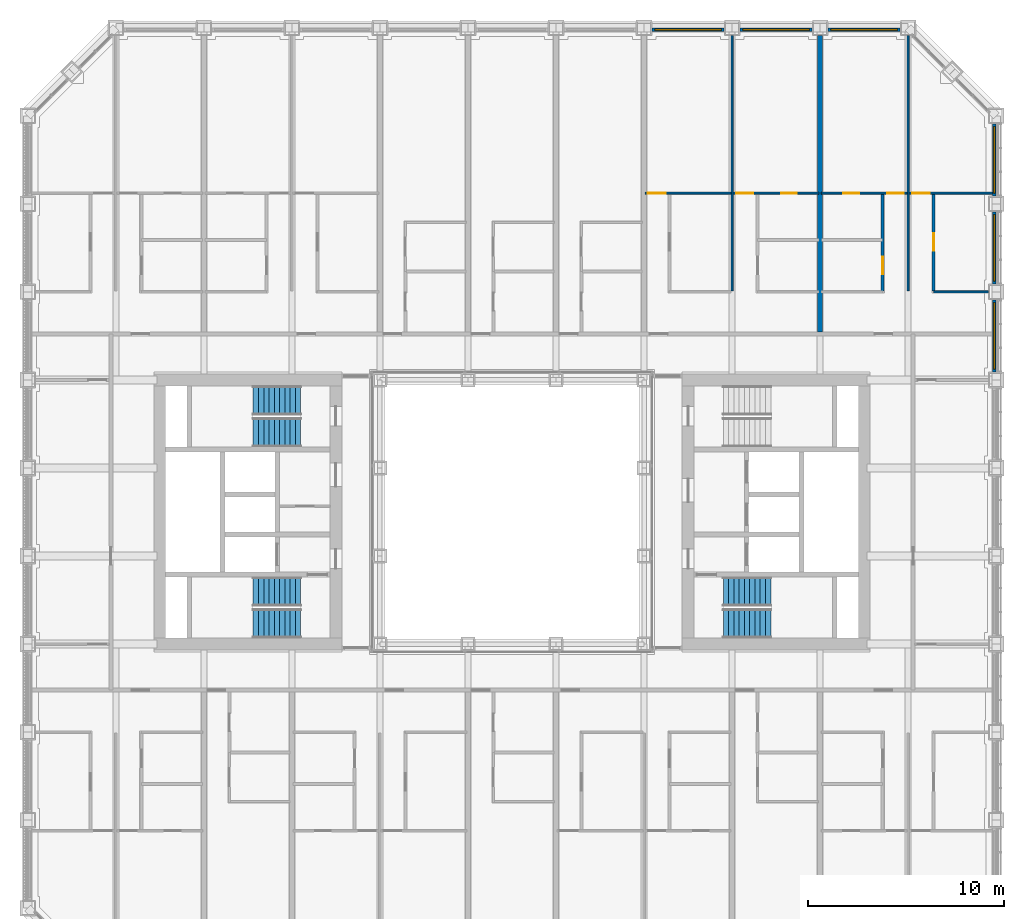
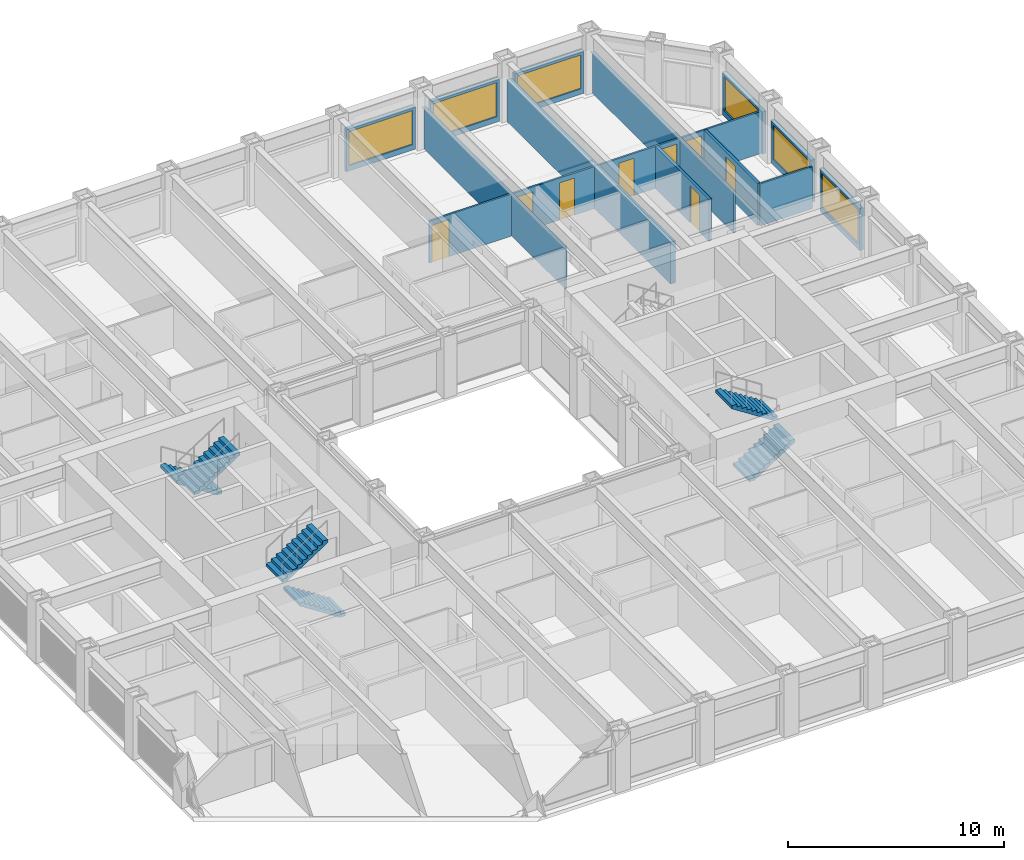
# One storey, part 15 of 21: 16 walls, 8 doors, 6 stair flights, 6 windows, 14 openings, 3 elements without a shape of their own.
"""IFC4 building model written with IfcOpenShell, lengths in metres."""

from ifc_helpers import new_model, si_unit, direction, frame, frame_2d, origin, place, context, subcontext, project, spatial, polyline, rectangle, outline, extrude, material, layer, layer_set, type_object, element, fill, aggregate, save


model = new_model("IFC4")

# Units and contexts
model_context = context("Model", 3, precision=1e-05, world=origin(), true_north=direction((0.0, 1.0)))
body_context = subcontext(model_context, "Body", "Model", "MODEL_VIEW")
ifc_project = project(units=[si_unit("LENGTHUNIT", "METRE"), si_unit("AREAUNIT", "SQUARE_METRE"), si_unit("VOLUMEUNIT", "CUBIC_METRE"), si_unit("PLANEANGLEUNIT", "RADIAN"), si_unit("MASSUNIT", "GRAM", prefix="KILO")], contexts=[model_context])

# Site, building, storey
site_placement = place(None, origin())
site = spatial("IfcSite", under=ifc_project, at=site_placement, CompositionType="ELEMENT")
building_placement = place(site_placement, origin())
building = spatial("IfcBuilding", under=site, at=building_placement, Name="Msasa Ring Tower", CompositionType="ELEMENT")
storey_placement = place(building_placement, frame((0.0, 0.0, 40.5)))
storey = spatial("IfcBuildingStorey", under=building, at=storey_placement, Name="L09", CompositionType="ELEMENT", Elevation=40.5)

# Wall, opening, window
ifc_material_1 = material(Name="Terracotta rainscreen on blockwork", Category="masonry")
ifc_layer_1 = layer(ifc_material_1, 0.199951171875)
ifc_layer_set_1 = layer_set([ifc_layer_1], Name="FW1 TERRACOTTA-LINED INFILL BAY WALL 200")
wall_type_1 = type_object("IfcWallType", Name="FW1 TERRACOTTA-LINED INFILL BAY WALL 200", PredefinedType="SOLIDWALL", material=ifc_layer_set_1)
wall_1_placement = place(storey_placement, frame((24.64990234375, 7.155029296875, 0.0), z_axis=(0.0, 0.0, 1.0), x_axis=(0.0, 1.0, 0.0)))
wall_1 = element("IfcWall", 1, at=wall_1_placement, inside=storey, type_object=wall_type_1, Name="Infill bay wall E L09 17", PredefinedType="SOLIDWALL", context=body_context, shape_type="SweptSolid", body=[
    extrude(rectangle(XDim=3.68994140625, YDim=0.199951171875, at=frame_2d((1.844970703125, 0.0))), origin(), (0.0, 0.0, 1.0), 2.37890625),
])
opening_1_placement = place(wall_1_placement, frame((0.14501953125, 0.0, 0.300048828125)))
opening_1 = element("IfcOpeningElement", 2, at=opening_1_placement, cuts=wall_1, Name="Opening WN1", PredefinedType="OPENING", context=body_context, shape_type="SweptSolid", body=[
    extrude(rectangle(XDim=3.39990234375, YDim=1.928955078125, at=frame_2d((1.699951171875, 0.96435546875))), frame((0.0, 0.10986328125, 0.0), z_axis=(0.0, -1.0, 0.0), x_axis=(1.0, 0.0, 0.0)), (0.0, 0.0, 1.0), 0.219970703125),
])
ifc_material_2 = material(Name="Aluminium frame with clear glass", Category="aluminium")
window_type = type_object("IfcWindowType", Name="WN1 RESIDENCE WINDOW 3400x1929", PartitioningType="SINGLE_PANEL", PredefinedType="WINDOW", material=ifc_material_2)
window_1_placement = place(opening_1_placement, origin())
window_1 = element("IfcWindow", 3, at=window_1_placement, inside=storey, type_object=window_type, Name="Window E L09 17", OverallHeight=1.928955078125, OverallWidth=3.39990234375, PartitioningType="SINGLE_PANEL", PredefinedType="WINDOW", context=body_context, shape_type="SweptSolid", body=[
    extrude(rectangle(XDim=3.39990234375, YDim=1.928955078125, at=frame_2d((1.699951171875, 0.96435546875))), frame((0.0, 0.030029296875, 0.0), z_axis=(0.0, -1.0, 0.0), x_axis=(1.0, 0.0, 0.0)), (0.0, 0.0, 1.0), 0.06005859375),
])
fill(opening_1, window_1)

wall_2_placement = place(storey_placement, frame((24.64990234375, 11.655029296875, 0.0), z_axis=(0.0, 0.0, 1.0), x_axis=(0.0, 1.0, 0.0)))
wall_2 = element("IfcWall", 4, at=wall_2_placement, inside=storey, type_object=wall_type_1, Name="Infill bay wall E L09 18", PredefinedType="SOLIDWALL", context=body_context, shape_type="SweptSolid", body=[
    extrude(rectangle(XDim=3.68994140625, YDim=0.199951171875, at=frame_2d((1.844970703125, 0.0))), origin(), (0.0, 0.0, 1.0), 2.37890625),
])
opening_2_placement = place(wall_2_placement, frame((0.14501953125, 0.0, 0.300048828125)))
opening_2 = element("IfcOpeningElement", 5, at=opening_2_placement, cuts=wall_2, Name="Opening WN1", PredefinedType="OPENING", context=body_context, shape_type="SweptSolid", body=[
    extrude(rectangle(XDim=3.39990234375, YDim=1.928955078125, at=frame_2d((1.699951171875, 0.96435546875))), frame((0.0, 0.10986328125, 0.0), z_axis=(0.0, -1.0, 0.0), x_axis=(1.0, 0.0, 0.0)), (0.0, 0.0, 1.0), 0.219970703125),
])
window_2_placement = place(opening_2_placement, origin())
window_2 = element("IfcWindow", 6, at=window_2_placement, inside=storey, type_object=window_type, Name="Window E L09 18", OverallHeight=1.928955078125, OverallWidth=3.39990234375, PartitioningType="SINGLE_PANEL", PredefinedType="WINDOW", context=body_context, shape_type="SweptSolid", body=[
    extrude(rectangle(XDim=3.39990234375, YDim=1.928955078125, at=frame_2d((1.699951171875, 0.96435546875))), frame((0.0, 0.030029296875, 0.0), z_axis=(0.0, -1.0, 0.0), x_axis=(1.0, 0.0, 0.0)), (0.0, 0.0, 1.0), 0.06005859375),
])
fill(opening_2, window_2)

wall_3_placement = place(storey_placement, frame((24.64990234375, 16.155029296875, 0.0), z_axis=(0.0, 0.0, 1.0), x_axis=(0.0, 1.0, 0.0)))
wall_3 = element("IfcWall", 7, at=wall_3_placement, inside=storey, type_object=wall_type_1, Name="Infill bay wall E L09 19", PredefinedType="SOLIDWALL", context=body_context, shape_type="SweptSolid", body=[
    extrude(rectangle(XDim=3.68994140625, YDim=0.199951171875, at=frame_2d((1.844970703125, 0.0))), origin(), (0.0, 0.0, 1.0), 2.37890625),
])
opening_3_placement = place(wall_3_placement, frame((0.14501953125, 0.0, 0.300048828125)))
opening_3 = element("IfcOpeningElement", 8, at=opening_3_placement, cuts=wall_3, Name="Opening WN1", PredefinedType="OPENING", context=body_context, shape_type="SweptSolid", body=[
    extrude(rectangle(XDim=3.39990234375, YDim=1.928955078125, at=frame_2d((1.699951171875, 0.96435546875))), frame((0.0, 0.10986328125, 0.0), z_axis=(0.0, -1.0, 0.0), x_axis=(1.0, 0.0, 0.0)), (0.0, 0.0, 1.0), 0.219970703125),
])
window_3_placement = place(opening_3_placement, origin())
window_3 = element("IfcWindow", 9, at=window_3_placement, inside=storey, type_object=window_type, Name="Window E L09 19", OverallHeight=1.928955078125, OverallWidth=3.39990234375, PartitioningType="SINGLE_PANEL", PredefinedType="WINDOW", context=body_context, shape_type="SweptSolid", body=[
    extrude(rectangle(XDim=3.39990234375, YDim=1.928955078125, at=frame_2d((1.699951171875, 0.96435546875))), frame((0.0, 0.030029296875, 0.0), z_axis=(0.0, -1.0, 0.0), x_axis=(1.0, 0.0, 0.0)), (0.0, 0.0, 1.0), 0.06005859375),
])
fill(opening_3, window_3)

wall_4_placement = place(storey_placement, frame((7.155029296875, 24.64990234375, 0.0), z_axis=(0.0, 0.0, 1.0), x_axis=(1.0, 0.0, 0.0)))
wall_4 = element("IfcWall", 10, at=wall_4_placement, inside=storey, type_object=wall_type_1, Name="Infill bay wall N L09 28", PredefinedType="SOLIDWALL", context=body_context, shape_type="SweptSolid", body=[
    extrude(rectangle(XDim=3.68994140625, YDim=0.199951171875, at=frame_2d((1.844970703125, 0.0))), origin(), (0.0, 0.0, 1.0), 2.37890625),
])
opening_4_placement = place(wall_4_placement, frame((0.14501953125, 0.0, 0.300048828125)))
opening_4 = element("IfcOpeningElement", 11, at=opening_4_placement, cuts=wall_4, Name="Opening WN1", PredefinedType="OPENING", context=body_context, shape_type="SweptSolid", body=[
    extrude(rectangle(XDim=3.39990234375, YDim=1.928955078125, at=frame_2d((1.699951171875, 0.96435546875))), frame((0.0, 0.10986328125, 0.0), z_axis=(0.0, -1.0, 0.0), x_axis=(1.0, 0.0, 0.0)), (0.0, 0.0, 1.0), 0.219970703125),
])
window_4_placement = place(opening_4_placement, origin())
window_4 = element("IfcWindow", 12, at=window_4_placement, inside=storey, type_object=window_type, Name="Window N L09 28", OverallHeight=1.928955078125, OverallWidth=3.39990234375, PartitioningType="SINGLE_PANEL", PredefinedType="WINDOW", context=body_context, shape_type="SweptSolid", body=[
    extrude(rectangle(XDim=3.39990234375, YDim=1.928955078125, at=frame_2d((1.699951171875, 0.96435546875))), frame((0.0, 0.030029296875, 0.0), z_axis=(0.0, -1.0, 0.0), x_axis=(1.0, 0.0, 0.0)), (0.0, 0.0, 1.0), 0.06005859375),
])
fill(opening_4, window_4)

wall_5_placement = place(storey_placement, frame((11.655029296875, 24.64990234375, 0.0), z_axis=(0.0, 0.0, 1.0), x_axis=(1.0, 0.0, 0.0)))
wall_5 = element("IfcWall", 13, at=wall_5_placement, inside=storey, type_object=wall_type_1, Name="Infill bay wall N L09 29", PredefinedType="SOLIDWALL", context=body_context, shape_type="SweptSolid", body=[
    extrude(rectangle(XDim=3.68994140625, YDim=0.199951171875, at=frame_2d((1.844970703125, 0.0))), origin(), (0.0, 0.0, 1.0), 2.37890625),
])
opening_5_placement = place(wall_5_placement, frame((0.14501953125, 0.0, 0.300048828125)))
opening_5 = element("IfcOpeningElement", 14, at=opening_5_placement, cuts=wall_5, Name="Opening WN1", PredefinedType="OPENING", context=body_context, shape_type="SweptSolid", body=[
    extrude(rectangle(XDim=3.39990234375, YDim=1.928955078125, at=frame_2d((1.699951171875, 0.96435546875))), frame((0.0, 0.10986328125, 0.0), z_axis=(0.0, -1.0, 0.0), x_axis=(1.0, 0.0, 0.0)), (0.0, 0.0, 1.0), 0.219970703125),
])
window_5_placement = place(opening_5_placement, origin())
window_5 = element("IfcWindow", 15, at=window_5_placement, inside=storey, type_object=window_type, Name="Window N L09 29", OverallHeight=1.928955078125, OverallWidth=3.39990234375, PartitioningType="SINGLE_PANEL", PredefinedType="WINDOW", context=body_context, shape_type="SweptSolid", body=[
    extrude(rectangle(XDim=3.39990234375, YDim=1.928955078125, at=frame_2d((1.699951171875, 0.96435546875))), frame((0.0, 0.030029296875, 0.0), z_axis=(0.0, -1.0, 0.0), x_axis=(1.0, 0.0, 0.0)), (0.0, 0.0, 1.0), 0.06005859375),
])
fill(opening_5, window_5)

wall_6_placement = place(storey_placement, frame((16.155029296875, 24.64990234375, 0.0), z_axis=(0.0, 0.0, 1.0), x_axis=(1.0, 0.0, 0.0)))
wall_6 = element("IfcWall", 16, at=wall_6_placement, inside=storey, type_object=wall_type_1, Name="Infill bay wall N L09 30", PredefinedType="SOLIDWALL", context=body_context, shape_type="SweptSolid", body=[
    extrude(rectangle(XDim=3.68994140625, YDim=0.199951171875, at=frame_2d((1.844970703125, 0.0))), origin(), (0.0, 0.0, 1.0), 2.37890625),
])
opening_6_placement = place(wall_6_placement, frame((0.14501953125, 0.0, 0.300048828125)))
opening_6 = element("IfcOpeningElement", 17, at=opening_6_placement, cuts=wall_6, Name="Opening WN1", PredefinedType="OPENING", context=body_context, shape_type="SweptSolid", body=[
    extrude(rectangle(XDim=3.39990234375, YDim=1.928955078125, at=frame_2d((1.699951171875, 0.96435546875))), frame((0.0, 0.10986328125, 0.0), z_axis=(0.0, -1.0, 0.0), x_axis=(1.0, 0.0, 0.0)), (0.0, 0.0, 1.0), 0.219970703125),
])
window_6_placement = place(opening_6_placement, origin())
window_6 = element("IfcWindow", 18, at=window_6_placement, inside=storey, type_object=window_type, Name="Window N L09 30", OverallHeight=1.928955078125, OverallWidth=3.39990234375, PartitioningType="SINGLE_PANEL", PredefinedType="WINDOW", context=body_context, shape_type="SweptSolid", body=[
    extrude(rectangle(XDim=3.39990234375, YDim=1.928955078125, at=frame_2d((1.699951171875, 0.96435546875))), frame((0.0, 0.030029296875, 0.0), z_axis=(0.0, -1.0, 0.0), x_axis=(1.0, 0.0, 0.0)), (0.0, 0.0, 1.0), 0.06005859375),
])
fill(opening_6, window_6)

# Wall, opening, door
ifc_material_3 = material(Name="Gypsum board on steel studs", Category="steel")
ifc_layer_2 = layer(ifc_material_3, 0.10009765625)
ifc_layer_set_2 = layer_set([ifc_layer_2], Name="PT2 STUD PARTITION 100")
wall_type_2 = type_object("IfcWallType", Name="PT2 STUD PARTITION 100", PredefinedType="PARTITIONING", material=ifc_layer_set_2)
wall_7_placement = place(storey_placement, frame((6.81005859375, 16.300048828125, 0.0), z_axis=(0.0, 0.0, 1.0), x_axis=(1.0, 0.0, 0.0)))
wall_7 = element("IfcWall", 19, at=wall_7_placement, inside=storey, type_object=wall_type_2, Name="Partition L09-UN05SY0", PredefinedType="PARTITIONING", context=body_context, shape_type="SweptSolid", body=[
    extrude(rectangle(XDim=4.389892578125, YDim=0.10009765625, at=frame_2d((2.19482421875, 0.0))), origin(), (0.0, 0.0, 1.0), 2.373291015625),
])
opening_7_placement = place(wall_7_placement, frame((0.139892578125, 0.0, 0.0)))
opening_7 = element("IfcOpeningElement", 20, at=opening_7_placement, cuts=wall_7, Name="Opening RB-007", PredefinedType="OPENING", context=body_context, shape_type="SweptSolid", body=[
    extrude(rectangle(XDim=0.89990234375, YDim=2.10009765625, at=frame_2d((0.449951171875, 1.050048828125))), frame((0.0, 0.06005859375, 0.0), z_axis=(0.0, -1.0, 0.0), x_axis=(1.0, 0.0, 0.0)), (0.0, 0.0, 1.0), 0.1201171875),
])
ifc_material_4 = material(Name="Timber door leaf in a steel frame", Category="steel")
door_type_1 = type_object("IfcDoorType", Name="D22 INTERNAL HALL DOOR 900x2100", OperationType="SINGLE_SWING_LEFT", PredefinedType="DOOR", material=ifc_material_4)
door_1_placement = place(opening_7_placement, origin())
door_1 = element("IfcDoor", 21, at=door_1_placement, inside=storey, type_object=door_type_1, Name="Door L09-UN05L", OperationType="SINGLE_SWING_LEFT", OverallHeight=2.10009765625, OverallWidth=0.89990234375, PredefinedType="DOOR", context=body_context, shape_type="SweptSolid", body=[
    extrude(rectangle(XDim=0.89990234375, YDim=2.10009765625, at=frame_2d((0.449951171875, 1.050048828125))), frame((0.0, 0.02490234375, 0.0), z_axis=(0.0, -1.0, 0.0), x_axis=(1.0, 0.0, 0.0)), (0.0, 0.0, 1.0), 0.050048828125),
])
fill(opening_7, door_1)

# Wall
wall_8_placement = place(storey_placement, frame((11.25, 11.300048828125, 0.0), z_axis=(0.0, 0.0, 1.0), x_axis=(0.0, 1.0, 0.0)))
element("IfcWall", 22, at=wall_8_placement, inside=storey, type_object=wall_type_2, Name="Partition L09-UN05P1", PredefinedType="PARTITIONING", context=body_context, shape_type="SweptSolid", body=[
    extrude(rectangle(XDim=13.050048828125, YDim=0.10009765625, at=frame_2d((6.52490234375, 0.0))), origin(), (0.0, 0.0, 1.0), 2.373291015625),
])

# Wall, openings, doors
wall_9_placement = place(storey_placement, frame((11.300048828125, 16.300048828125, 0.0), z_axis=(0.0, 0.0, 1.0), x_axis=(1.0, 0.0, 0.0)))
wall_9 = element("IfcWall", 23, at=wall_9_placement, inside=storey, type_object=wall_type_2, Name="Partition L09-UN05SY1", PredefinedType="PARTITIONING", context=body_context, shape_type="SweptSolid", body=[
    extrude(rectangle(XDim=4.389892578125, YDim=0.10009765625, at=frame_2d((2.19482421875, 0.0))), origin(), (0.0, 0.0, 1.0), 2.373291015625),
])
opening_8_placement = place(wall_9_placement, frame((0.175048828125, 0.0, 0.0)))
opening_8 = element("IfcOpeningElement", 24, at=opening_8_placement, cuts=wall_9, Name="Opening RB-008", PredefinedType="OPENING", context=body_context, shape_type="SweptSolid", body=[
    extrude(rectangle(XDim=0.85009765625, YDim=2.10009765625, at=frame_2d((0.425048828125, 1.050048828125))), frame((0.0, 0.06005859375, 0.0), z_axis=(0.0, -1.0, 0.0), x_axis=(1.0, 0.0, 0.0)), (0.0, 0.0, 1.0), 0.1201171875),
])
opening_9_placement = place(wall_9_placement, frame((2.4599609375, 0.0, 0.0)))
opening_9 = element("IfcOpeningElement", 25, at=opening_9_placement, cuts=wall_9, Name="Opening RB-009", PredefinedType="OPENING", context=body_context, shape_type="SweptSolid", body=[
    extrude(rectangle(XDim=0.800048828125, YDim=2.10009765625, at=frame_2d((0.39990234375, 1.050048828125))), frame((0.0, 0.06005859375, 0.0), z_axis=(0.0, -1.0, 0.0), x_axis=(1.0, 0.0, 0.0)), (0.0, 0.0, 1.0), 0.1201171875),
])
ifc_material_5 = material(Name="Timber door leaf in a steel frame", Category="steel")
door_type_2 = type_object("IfcDoorType", Name="D14 BEDROOM DOOR 850x2100", OperationType="SINGLE_SWING_LEFT", PredefinedType="DOOR", material=ifc_material_5)
door_2_placement = place(opening_8_placement, origin())
door_2 = element("IfcDoor", 26, at=door_2_placement, inside=storey, type_object=door_type_2, Name="Door L09-UN05R1", OperationType="SINGLE_SWING_LEFT", OverallHeight=2.10009765625, OverallWidth=0.85009765625, PredefinedType="DOOR", context=body_context, shape_type="SweptSolid", body=[
    extrude(rectangle(XDim=0.85009765625, YDim=2.10009765625, at=frame_2d((0.425048828125, 1.050048828125))), frame((0.0, 0.02490234375, 0.0), z_axis=(0.0, -1.0, 0.0), x_axis=(1.0, 0.0, 0.0)), (0.0, 0.0, 1.0), 0.050048828125),
])
fill(opening_8, door_2)
ifc_material_6 = material(Name="Timber door leaf in a steel frame", Category="steel")
door_type_3 = type_object("IfcDoorType", Name="D60 DRESSING ROOM DOOR 800x2100", OperationType="SINGLE_SWING_LEFT", PredefinedType="DOOR", material=ifc_material_6)
door_3_placement = place(opening_9_placement, origin())
door_3 = element("IfcDoor", 27, at=door_3_placement, inside=storey, type_object=door_type_3, Name="Door L09-UN05W1", OperationType="SINGLE_SWING_RIGHT", OverallHeight=2.10009765625, OverallWidth=0.800048828125, PredefinedType="DOOR", context=body_context, shape_type="SweptSolid", body=[
    extrude(rectangle(XDim=0.800048828125, YDim=2.10009765625, at=frame_2d((0.39990234375, 1.050048828125))), frame((0.0, 0.02490234375, 0.0), z_axis=(0.0, -1.0, 0.0), x_axis=(1.0, 0.0, 0.0)), (0.0, 0.0, 1.0), 0.050048828125),
])
fill(opening_9, door_3)

# Wall
wall_10_placement = place(storey_placement, frame((21.550048828125, 11.25, 0.0), z_axis=(0.0, 0.0, 1.0), x_axis=(1.0, 0.0, 0.0)))
element("IfcWall", 28, at=wall_10_placement, inside=storey, type_object=wall_type_2, Name="Partition L09-UN06HY0", PredefinedType="PARTITIONING", context=body_context, shape_type="SweptSolid", body=[
    extrude(rectangle(XDim=2.800048828125, YDim=0.10009765625, at=frame_2d((1.39990234375, 0.0))), origin(), (0.0, 0.0, 1.0), 2.373291015625),
])

# Wall, opening, door
wall_11_placement = place(storey_placement, frame((20.300048828125, 16.300048828125, 0.0), z_axis=(0.0, 0.0, 1.0), x_axis=(1.0, 0.0, 0.0)))
wall_11 = element("IfcWall", 29, at=wall_11_placement, inside=storey, type_object=wall_type_2, Name="Partition L09-UN06SY0", PredefinedType="PARTITIONING", context=body_context, shape_type="SweptSolid", body=[
    extrude(rectangle(XDim=4.25, YDim=0.10009765625, at=frame_2d((2.125, 0.0))), origin(), (0.0, 0.0, 1.0), 2.373291015625),
])
opening_10_placement = place(wall_11_placement, frame((0.14990234375, 0.0, 0.0)))
opening_10 = element("IfcOpeningElement", 30, at=opening_10_placement, cuts=wall_11, Name="Opening RB-012", PredefinedType="OPENING", context=body_context, shape_type="SweptSolid", body=[
    extrude(rectangle(XDim=0.89990234375, YDim=2.10009765625, at=frame_2d((0.449951171875, 1.050048828125))), frame((0.0, 0.06005859375, 0.0), z_axis=(0.0, -1.0, 0.0), x_axis=(1.0, 0.0, 0.0)), (0.0, 0.0, 1.0), 0.1201171875),
])
door_4_placement = place(opening_10_placement, origin())
door_4 = element("IfcDoor", 31, at=door_4_placement, inside=storey, type_object=door_type_1, Name="Door L09-UN06L", OperationType="SINGLE_SWING_LEFT", OverallHeight=2.10009765625, OverallWidth=0.89990234375, PredefinedType="DOOR", context=body_context, shape_type="SweptSolid", body=[
    extrude(rectangle(XDim=0.89990234375, YDim=2.10009765625, at=frame_2d((0.449951171875, 1.050048828125))), frame((0.0, 0.02490234375, 0.0), z_axis=(0.0, -1.0, 0.0), x_axis=(1.0, 0.0, 0.0)), (0.0, 0.0, 1.0), 0.050048828125),
])
fill(opening_10, door_4)

# Wall
wall_12_placement = place(storey_placement, frame((20.25, 11.300048828125, 0.0), z_axis=(0.0, 0.0, 1.0), x_axis=(0.0, 1.0, 0.0)))
element("IfcWall", 32, at=wall_12_placement, inside=storey, type_object=wall_type_2, Name="Partition L09-UN06P1", PredefinedType="PARTITIONING", context=body_context, shape_type="SweptSolid", body=[
    extrude(rectangle(XDim=13.050048828125, YDim=0.10009765625, at=frame_2d((6.52490234375, 0.0))), origin(), (0.0, 0.0, 1.0), 2.373291015625),
])

# Wall, openings, doors
wall_13_placement = place(storey_placement, frame((15.81005859375, 16.300048828125, 0.0), z_axis=(0.0, 0.0, 1.0), x_axis=(1.0, 0.0, 0.0)))
wall_13 = element("IfcWall", 33, at=wall_13_placement, inside=storey, type_object=wall_type_2, Name="Partition L09-UN06SY1", PredefinedType="PARTITIONING", context=body_context, shape_type="SweptSolid", body=[
    extrude(rectangle(XDim=4.389892578125, YDim=0.10009765625, at=frame_2d((2.19482421875, 0.0))), origin(), (0.0, 0.0, 1.0), 2.373291015625),
])
opening_11_placement = place(wall_13_placement, frame((3.364990234375, 0.0, 0.0)))
opening_11 = element("IfcOpeningElement", 34, at=opening_11_placement, cuts=wall_13, Name="Opening RB-011", PredefinedType="OPENING", context=body_context, shape_type="SweptSolid", body=[
    extrude(rectangle(XDim=0.85009765625, YDim=2.10009765625, at=frame_2d((0.425048828125, 1.050048828125))), frame((0.0, 0.06005859375, 0.0), z_axis=(0.0, -1.0, 0.0), x_axis=(1.0, 0.0, 0.0)), (0.0, 0.0, 1.0), 0.1201171875),
])
opening_12_placement = place(wall_13_placement, frame((1.1298828125, 0.0, 0.0)))
opening_12 = element("IfcOpeningElement", 35, at=opening_12_placement, cuts=wall_13, Name="Opening RB-010", PredefinedType="OPENING", context=body_context, shape_type="SweptSolid", body=[
    extrude(rectangle(XDim=0.800048828125, YDim=2.10009765625, at=frame_2d((0.39990234375, 1.050048828125))), frame((0.0, 0.06005859375, 0.0), z_axis=(0.0, -1.0, 0.0), x_axis=(1.0, 0.0, 0.0)), (0.0, 0.0, 1.0), 0.1201171875),
])
door_5_placement = place(opening_11_placement, origin())
door_5 = element("IfcDoor", 36, at=door_5_placement, inside=storey, type_object=door_type_2, Name="Door L09-UN06R1", OperationType="SINGLE_SWING_RIGHT", OverallHeight=2.10009765625, OverallWidth=0.85009765625, PredefinedType="DOOR", context=body_context, shape_type="SweptSolid", body=[
    extrude(rectangle(XDim=0.85009765625, YDim=2.10009765625, at=frame_2d((0.425048828125, 1.050048828125))), frame((0.0, 0.02490234375, 0.0), z_axis=(0.0, -1.0, 0.0), x_axis=(1.0, 0.0, 0.0)), (0.0, 0.0, 1.0), 0.050048828125),
])
fill(opening_11, door_5)
door_6_placement = place(opening_12_placement, origin())
door_6 = element("IfcDoor", 37, at=door_6_placement, inside=storey, type_object=door_type_3, Name="Door L09-UN06W1", OperationType="SINGLE_SWING_LEFT", OverallHeight=2.10009765625, OverallWidth=0.800048828125, PredefinedType="DOOR", context=body_context, shape_type="SweptSolid", body=[
    extrude(rectangle(XDim=0.800048828125, YDim=2.10009765625, at=frame_2d((0.39990234375, 1.050048828125))), frame((0.0, 0.02490234375, 0.0), z_axis=(0.0, -1.0, 0.0), x_axis=(1.0, 0.0, 0.0)), (0.0, 0.0, 1.0), 0.050048828125),
])
fill(opening_12, door_6)

# Wall
ifc_material_7 = material(Name="Dense concrete blockwork, plastered both faces", Category="masonry")
ifc_layer_3 = layer(ifc_material_7, 0.25)
ifc_layer_set_3 = layer_set([ifc_layer_3], Name="PT3 APARTMENT SEPARATING WALL 250")
wall_type_3 = type_object("IfcWallType", Name="PT3 APARTMENT SEPARATING WALL 250", PredefinedType="PARTITIONING", material=ifc_layer_set_3)
wall_14_placement = place(storey_placement, frame((15.75, 9.199951171875, 0.0), z_axis=(0.0, 0.0, 1.0), x_axis=(0.0, 1.0, 0.0)))
element("IfcWall", 38, at=wall_14_placement, inside=storey, type_object=wall_type_3, Name="Party wall L09-PWN+15.75", PredefinedType="PARTITIONING", context=body_context, shape_type="SweptSolid", body=[
    extrude(rectangle(XDim=15.150146484375, YDim=0.25, at=frame_2d((7.5751953125, 0.0))), origin(), (0.0, 0.0, 1.0), 2.373291015625),
])

# Wall, opening, door
ifc_material_8 = material(Name="Moisture-resistant board on steel studs with a concealed cistern and pipe void, tiled", Category="steel")
ifc_layer_4 = layer(ifc_material_8, 0.14990234375)
ifc_layer_set_4 = layer_set([ifc_layer_4], Name="PT4 BATHROOM WET WALL 150")
wall_type_4 = type_object("IfcWallType", Name="PT4 BATHROOM WET WALL 150", PredefinedType="PARTITIONING", material=ifc_layer_set_4)
wall_15_placement = place(storey_placement, frame((21.550048828125, 11.300048828125, 0.0), z_axis=(0.0, 0.0, 1.0), x_axis=(0.0, 1.0, 0.0)))
wall_15 = element("IfcWall", 39, at=wall_15_placement, inside=storey, type_object=wall_type_4, Name="Partition L09-UN06SX0", PredefinedType="PARTITIONING", context=body_context, shape_type="SweptSolid", body=[
    extrude(rectangle(XDim=5.0, YDim=0.14990234375, at=frame_2d((2.5, 0.0))), origin(), (0.0, 0.0, 1.0), 2.373291015625),
])
opening_13_placement = place(wall_15_placement, frame((2.050048828125, 0.0, 0.0)))
opening_13 = element("IfcOpeningElement", 40, at=opening_13_placement, cuts=wall_15, Name="Opening RB-016", PredefinedType="OPENING", context=body_context, shape_type="SweptSolid", body=[
    extrude(rectangle(XDim=0.89990234375, YDim=2.10009765625, at=frame_2d((0.449951171875, 1.050048828125))), frame((0.0, 0.0849609375, 0.0), z_axis=(0.0, -1.0, 0.0), x_axis=(1.0, 0.0, 0.0)), (0.0, 0.0, 1.0), 0.169921875),
])
door_7_placement = place(opening_13_placement, origin())
door_7 = element("IfcDoor", 41, at=door_7_placement, inside=storey, type_object=door_type_1, Name="Door L09-UN06K", OperationType="SINGLE_SWING_LEFT", OverallHeight=2.10009765625, OverallWidth=0.89990234375, PredefinedType="DOOR", context=body_context, shape_type="SweptSolid", body=[
    extrude(rectangle(XDim=0.89990234375, YDim=2.10009765625, at=frame_2d((0.449951171875, 1.050048828125))), frame((0.0, 0.02490234375, 0.0), z_axis=(0.0, -1.0, 0.0), x_axis=(1.0, 0.0, 0.0)), (0.0, 0.0, 1.0), 0.050048828125),
])
fill(opening_13, door_7)

wall_16_placement = place(storey_placement, frame((18.949951171875, 11.300048828125, 0.0), z_axis=(0.0, 0.0, 1.0), x_axis=(0.0, 1.0, 0.0)))
wall_16 = element("IfcWall", 42, at=wall_16_placement, inside=storey, type_object=wall_type_4, Name="Partition L09-UN06SX1", PredefinedType="PARTITIONING", context=body_context, shape_type="SweptSolid", body=[
    extrude(rectangle(XDim=5.0, YDim=0.14990234375, at=frame_2d((2.5, 0.0))), origin(), (0.0, 0.0, 1.0), 2.373291015625),
])
opening_14_placement = place(wall_16_placement, frame((0.85009765625, 0.0, 0.0)))
opening_14 = element("IfcOpeningElement", 43, at=opening_14_placement, cuts=wall_16, Name="Opening RB-023", PredefinedType="OPENING", context=body_context, shape_type="SweptSolid", body=[
    extrude(rectangle(XDim=0.89990234375, YDim=2.10009765625, at=frame_2d((0.449951171875, 1.050048828125))), frame((0.0, 0.0849609375, 0.0), z_axis=(0.0, -1.0, 0.0), x_axis=(1.0, 0.0, 0.0)), (0.0, 0.0, 1.0), 0.169921875),
])
ifc_material_9 = material(Name="Timber door leaf in a steel frame", Category="steel")
door_type_4 = type_object("IfcDoorType", Name="D3 BATHROOM DOOR 900x2100", OperationType="SINGLE_SWING_LEFT", PredefinedType="DOOR", material=ifc_material_9)
door_8_placement = place(opening_14_placement, origin())
door_8 = element("IfcDoor", 44, at=door_8_placement, inside=storey, type_object=door_type_4, Name="Door L09-UN06B1", OperationType="SINGLE_SWING_LEFT", OverallHeight=2.10009765625, OverallWidth=0.89990234375, PredefinedType="DOOR", context=body_context, shape_type="SweptSolid", body=[
    extrude(rectangle(XDim=0.89990234375, YDim=2.10009765625, at=frame_2d((0.449951171875, 1.050048828125))), frame((0.0, 0.02490234375, 0.0), z_axis=(0.0, -1.0, 0.0), x_axis=(1.0, 0.0, 0.0)), (0.0, 0.0, 1.0), 0.050048828125),
])
fill(opening_14, door_8)

# Stair, stair flights
ifc_material_10 = material(Name="Concrete C40/50", Category="concrete")
stair_type = type_object("IfcStairType", Name="STC CORE STAIR 20 RISERS 175", PredefinedType="HALF_TURN_STAIR", material=ifc_material_10)
stair_1_placement = place(storey_placement, origin())
stair_1 = element("IfcStair", 45, at=stair_1_placement, inside=storey, type_object=stair_type, Name="Core stair SEA L09", PredefinedType="HALF_TURN_STAIR")
ifc_material_11 = material(Name="Concrete C40/50", Category="concrete")
stair_flight_type = type_object("IfcStairFlightType", Name="ST12 CORE STAIR FLIGHT 1500 10 RISERS 175", PredefinedType="STRAIGHT", material=ifc_material_11)
stair_flight_1_placement = place(storey_placement, frame((10.800048828125, -5.699951171875, 0.0), z_axis=(0.0, 0.0, 1.0), x_axis=(1.0, 0.0, 0.0)))
stair_flight_1 = element("IfcStairFlight", 46, at=stair_flight_1_placement, type_object=stair_flight_type, Name="SEA flight 1", NumberOfRisers=10, NumberOfTreads=9, PredefinedType="STRAIGHT", RiserHeight=0.175, TreadLength=0.27, context=body_context, shape_type="SweptSolid", body=[
    extrude(outline(polyline([(0.0, 0.0), (0.0, 0.175048828125), (0.27001953125, 0.175048828125), (0.27001953125, 0.35009765625), (0.5400390625, 0.35009765625), (0.5400390625, 0.52490234375), (0.81005859375, 0.52490234375), (0.81005859375, 0.699951171875), (1.080078125, 0.699951171875), (1.080078125, 0.875), (1.35009765625, 0.875), (1.35009765625, 1.050048828125), (1.6201171875, 1.050048828125), (1.6201171875, 1.22509765625), (1.889892578125, 1.22509765625), (1.889892578125, 1.39990234375), (2.159912109375, 1.39990234375), (2.159912109375, 1.574951171875), (2.429931640625, 1.574951171875), (2.429931640625, 1.75), (2.429931640625, 1.396484375), (0.275634765625, 0.0), (0.0, 0.0)])), frame((0.0, 0.75, 0.0), z_axis=(0.0, -1.0, 0.0), x_axis=(1.0, 0.0, 0.0)), (0.0, 0.0, 1.0), 1.5),
])
stair_flight_2_placement = place(storey_placement, frame((13.22998046875, -4.074951171875, 1.75), z_axis=(0.0, 0.0, 1.0), x_axis=(-1.0, 0.0, 0.0)))
stair_flight_2 = element("IfcStairFlight", 47, at=stair_flight_2_placement, type_object=stair_flight_type, Name="SEA flight 2", NumberOfRisers=10, NumberOfTreads=9, PredefinedType="STRAIGHT", RiserHeight=0.175, TreadLength=0.27, context=body_context, shape_type="SweptSolid", body=[
    extrude(outline(polyline([(0.0, 0.0), (0.0, 0.175048828125), (0.27001953125, 0.175048828125), (0.27001953125, 0.35009765625), (0.5400390625, 0.35009765625), (0.5400390625, 0.52490234375), (0.81005859375, 0.52490234375), (0.81005859375, 0.699951171875), (1.080078125, 0.699951171875), (1.080078125, 0.875), (1.35009765625, 0.875), (1.35009765625, 1.050048828125), (1.6201171875, 1.050048828125), (1.6201171875, 1.22509765625), (1.889892578125, 1.22509765625), (1.889892578125, 1.39990234375), (2.159912109375, 1.39990234375), (2.159912109375, 1.574951171875), (2.429931640625, 1.574951171875), (2.429931640625, 1.75), (2.429931640625, 1.396484375), (0.275634765625, 0.0), (0.0, 0.0)])), frame((0.0, 0.75, 0.0), z_axis=(0.0, -1.0, 0.0), x_axis=(1.0, 0.0, 0.0)), (0.0, 0.0, 1.0), 1.5),
])
aggregate(stair_1, [stair_flight_1, stair_flight_2])

stair_2_placement = place(storey_placement, origin())
stair_2 = element("IfcStair", 48, at=stair_2_placement, inside=storey, type_object=stair_type, Name="Core stair SWA L09", PredefinedType="HALF_TURN_STAIR")
stair_flight_3_placement = place(storey_placement, frame((-10.800048828125, -5.699951171875, 0.0), z_axis=(0.0, 0.0, 1.0), x_axis=(-1.0, 0.0, 0.0)))
stair_flight_3 = element("IfcStairFlight", 49, at=stair_flight_3_placement, type_object=stair_flight_type, Name="SWA flight 1", NumberOfRisers=10, NumberOfTreads=9, PredefinedType="STRAIGHT", RiserHeight=0.175, TreadLength=0.27, context=body_context, shape_type="SweptSolid", body=[
    extrude(outline(polyline([(0.0, 0.0), (0.0, 0.175048828125), (0.27001953125, 0.175048828125), (0.27001953125, 0.35009765625), (0.5400390625, 0.35009765625), (0.5400390625, 0.52490234375), (0.81005859375, 0.52490234375), (0.81005859375, 0.699951171875), (1.080078125, 0.699951171875), (1.080078125, 0.875), (1.35009765625, 0.875), (1.35009765625, 1.050048828125), (1.6201171875, 1.050048828125), (1.6201171875, 1.22509765625), (1.889892578125, 1.22509765625), (1.889892578125, 1.39990234375), (2.159912109375, 1.39990234375), (2.159912109375, 1.574951171875), (2.429931640625, 1.574951171875), (2.429931640625, 1.75), (2.429931640625, 1.396484375), (0.275634765625, 0.0), (0.0, 0.0)])), frame((0.0, 0.75, 0.0), z_axis=(0.0, -1.0, 0.0), x_axis=(1.0, 0.0, 0.0)), (0.0, 0.0, 1.0), 1.5),
])
stair_flight_4_placement = place(storey_placement, frame((-13.22998046875, -4.074951171875, 1.75), z_axis=(0.0, 0.0, 1.0), x_axis=(1.0, 0.0, 0.0)))
stair_flight_4 = element("IfcStairFlight", 50, at=stair_flight_4_placement, type_object=stair_flight_type, Name="SWA flight 2", NumberOfRisers=10, NumberOfTreads=9, PredefinedType="STRAIGHT", RiserHeight=0.175, TreadLength=0.27, context=body_context, shape_type="SweptSolid", body=[
    extrude(outline(polyline([(0.0, 0.0), (0.0, 0.175048828125), (0.27001953125, 0.175048828125), (0.27001953125, 0.35009765625), (0.5400390625, 0.35009765625), (0.5400390625, 0.52490234375), (0.81005859375, 0.52490234375), (0.81005859375, 0.699951171875), (1.080078125, 0.699951171875), (1.080078125, 0.875), (1.35009765625, 0.875), (1.35009765625, 1.050048828125), (1.6201171875, 1.050048828125), (1.6201171875, 1.22509765625), (1.889892578125, 1.22509765625), (1.889892578125, 1.39990234375), (2.159912109375, 1.39990234375), (2.159912109375, 1.574951171875), (2.429931640625, 1.574951171875), (2.429931640625, 1.75), (2.429931640625, 1.396484375), (0.275634765625, 0.0), (0.0, 0.0)])), frame((0.0, 0.75, 0.0), z_axis=(0.0, -1.0, 0.0), x_axis=(1.0, 0.0, 0.0)), (0.0, 0.0, 1.0), 1.5),
])
aggregate(stair_2, [stair_flight_3, stair_flight_4])

stair_3_placement = place(storey_placement, origin())
stair_3 = element("IfcStair", 51, at=stair_3_placement, inside=storey, type_object=stair_type, Name="Core stair SWB L09", PredefinedType="HALF_TURN_STAIR")
stair_flight_5_placement = place(storey_placement, frame((-10.800048828125, 5.699951171875, 0.0), z_axis=(0.0, 0.0, 1.0), x_axis=(-1.0, 0.0, 0.0)))
stair_flight_5 = element("IfcStairFlight", 52, at=stair_flight_5_placement, type_object=stair_flight_type, Name="SWB flight 1", NumberOfRisers=10, NumberOfTreads=9, PredefinedType="STRAIGHT", RiserHeight=0.175, TreadLength=0.27, context=body_context, shape_type="SweptSolid", body=[
    extrude(outline(polyline([(0.0, 0.0), (0.0, 0.175048828125), (0.27001953125, 0.175048828125), (0.27001953125, 0.35009765625), (0.5400390625, 0.35009765625), (0.5400390625, 0.52490234375), (0.81005859375, 0.52490234375), (0.81005859375, 0.699951171875), (1.080078125, 0.699951171875), (1.080078125, 0.875), (1.35009765625, 0.875), (1.35009765625, 1.050048828125), (1.6201171875, 1.050048828125), (1.6201171875, 1.22509765625), (1.889892578125, 1.22509765625), (1.889892578125, 1.39990234375), (2.159912109375, 1.39990234375), (2.159912109375, 1.574951171875), (2.429931640625, 1.574951171875), (2.429931640625, 1.75), (2.429931640625, 1.396484375), (0.275634765625, 0.0), (0.0, 0.0)])), frame((0.0, 0.75, 0.0), z_axis=(0.0, -1.0, 0.0), x_axis=(1.0, 0.0, 0.0)), (0.0, 0.0, 1.0), 1.5),
])
stair_flight_6_placement = place(storey_placement, frame((-13.22998046875, 4.074951171875, 1.75), z_axis=(0.0, 0.0, 1.0), x_axis=(1.0, 0.0, 0.0)))
stair_flight_6 = element("IfcStairFlight", 53, at=stair_flight_6_placement, type_object=stair_flight_type, Name="SWB flight 2", NumberOfRisers=10, NumberOfTreads=9, PredefinedType="STRAIGHT", RiserHeight=0.175, TreadLength=0.27, context=body_context, shape_type="SweptSolid", body=[
    extrude(outline(polyline([(0.0, 0.0), (0.0, 0.175048828125), (0.27001953125, 0.175048828125), (0.27001953125, 0.35009765625), (0.5400390625, 0.35009765625), (0.5400390625, 0.52490234375), (0.81005859375, 0.52490234375), (0.81005859375, 0.699951171875), (1.080078125, 0.699951171875), (1.080078125, 0.875), (1.35009765625, 0.875), (1.35009765625, 1.050048828125), (1.6201171875, 1.050048828125), (1.6201171875, 1.22509765625), (1.889892578125, 1.22509765625), (1.889892578125, 1.39990234375), (2.159912109375, 1.39990234375), (2.159912109375, 1.574951171875), (2.429931640625, 1.574951171875), (2.429931640625, 1.75), (2.429931640625, 1.396484375), (0.275634765625, 0.0), (0.0, 0.0)])), frame((0.0, 0.75, 0.0), z_axis=(0.0, -1.0, 0.0), x_axis=(1.0, 0.0, 0.0)), (0.0, 0.0, 1.0), 1.5),
])
aggregate(stair_3, [stair_flight_5, stair_flight_6])

save(model, "model.ifc")
